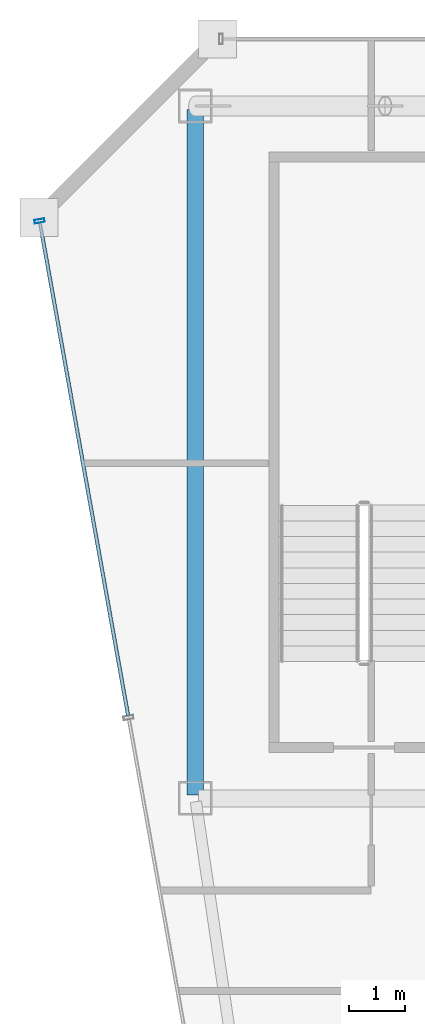
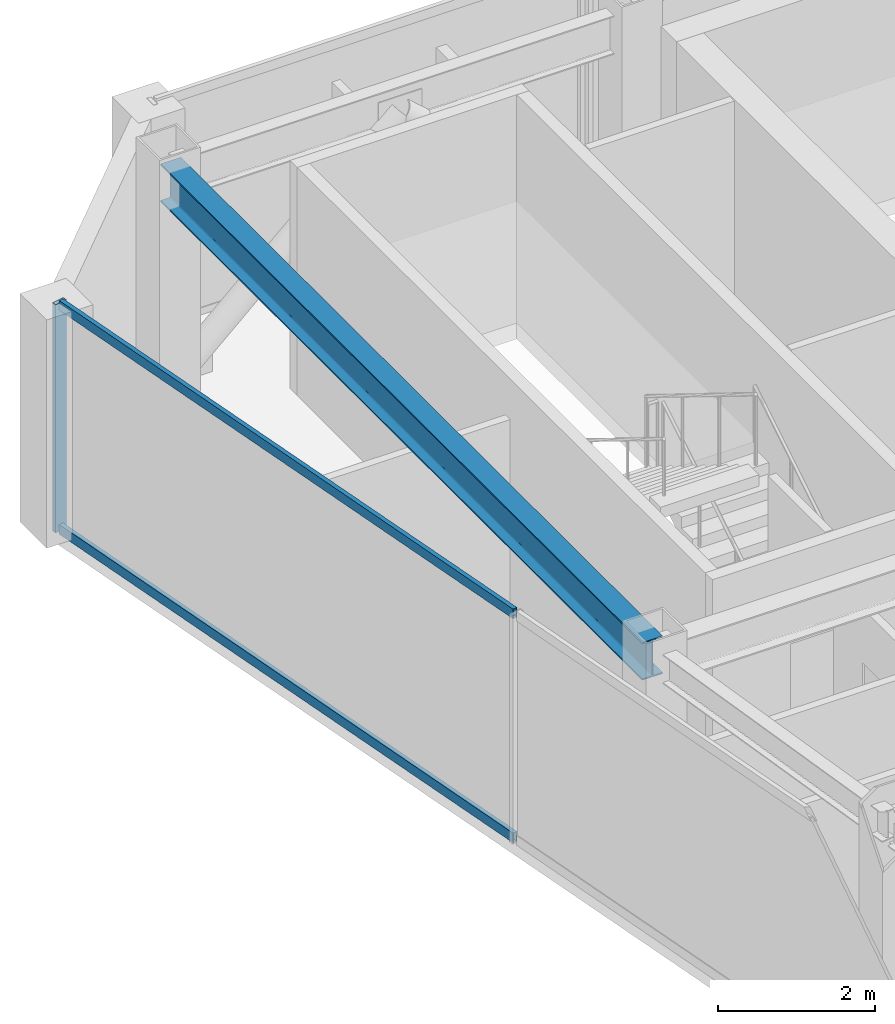
# One storey, part 10 of 32: 3 members, 1 beam, 1 element without a shape of its own.
"""IFC4 building model written with IfcOpenShell, lengths in metres."""

from ifc_helpers import new_model, si_unit, direction, frame, origin, origin_2d, place, context, subcontext, project, spatial, hollow_rectangle, i_section, extrude, material, material_profile, profile_set, type_object, element, aggregate, save


model = new_model("IFC4")

# Units and contexts
model_context = context("Model", 3, precision=1e-05, world=origin(), true_north=direction((0.0, 1.0)))
body_context = subcontext(model_context, "Body", "Model", "MODEL_VIEW")
ifc_project = project(units=[si_unit("LENGTHUNIT", "METRE"), si_unit("AREAUNIT", "SQUARE_METRE"), si_unit("VOLUMEUNIT", "CUBIC_METRE"), si_unit("PLANEANGLEUNIT", "RADIAN"), si_unit("MASSUNIT", "GRAM", prefix="KILO")], contexts=[model_context])

# Site, building, storey
site_placement = place(None, origin())
site = spatial("IfcSite", under=ifc_project, at=site_placement, CompositionType="ELEMENT")
building_placement = place(site_placement, origin())
building = spatial("IfcBuilding", under=site, at=building_placement, Name="Saevonmaru Cultural Tower", CompositionType="ELEMENT")
storey_placement = place(building_placement, frame((0.0, 0.0, 264.800048828125)))
storey = spatial("IfcBuildingStorey", under=building, at=storey_placement, Name="L62", CompositionType="ELEMENT", Elevation=264.800048828125)

# Beam
ifc_material_1 = material(Name="Steel SM355", Category="steel")
ifc_material_profile_1 = material_profile(ifc_material_1, i_section(OverallWidth=0.300048828125, OverallDepth=0.587890625, WebThickness=0.011962890625, FlangeThickness=0.02001953125, FilletRadius=0.02392578125, at=origin_2d()), Name="H-588x300x12x20")
ifc_profile_set_1 = profile_set([ifc_material_profile_1], Name="Steel SM355")
beam_type = type_object("IfcBeamType", Name="BM-G-H588", PredefinedType="BEAM", material=ifc_profile_set_1)
beam_placement = place(storey_placement, frame((6.800048828125, 54.739990234375, 3.255859375), z_axis=(0.0, -1.0, 0.0), x_axis=(1.0, 0.0, 0.0)))
element("IfcBeam", 1, at=beam_placement, inside=storey, type_object=beam_type, Name="L62 Spine Transverse Girder W", PredefinedType="BEAM", context=body_context, shape_type="SweptSolid", body=[
    extrude(i_section(OverallWidth=0.300048828125, OverallDepth=0.587890625, WebThickness=0.011962890625, FlangeThickness=0.02001953125, FilletRadius=0.02392578125, at=origin_2d()), origin(), (0.0, 0.0, 1.0), 12.280029296875),
])

# Curtain wall, members
ifc_material_2 = material(Name="Satin Bronze Anodised Aluminium", Category="aluminium")
curtain_wall_type = type_object("IfcCurtainWallType", Name="CW-TYP-B", PredefinedType="NOTDEFINED", material=ifc_material_2)
curtain_wall_placement = place(storey_placement, origin())
curtain_wall = element("IfcCurtainWall", 2, at=curtain_wall_placement, inside=storey, type_object=curtain_wall_type, Name="L62 Unitised Curtain Wall E12", PredefinedType="NOTDEFINED")
ifc_material_profile_2 = material_profile(ifc_material_2, hollow_rectangle(XDim=0.06494140625, YDim=0.179931640625, WallThickness=0.00390625, at=origin_2d()), Name="ALU-MULL-180x65x4")
ifc_profile_set_2 = profile_set([ifc_material_profile_2], Name="Satin Bronze Anodised Aluminium")
member_type_1 = type_object("IfcMemberType", Name="ML-CW-180x65", PredefinedType="MULLION", material=ifc_profile_set_2)
member_1_placement = place(storey_placement, frame((4.010498046875, 52.740966796875, 0.0), z_axis=(0.0, 0.0, 1.0), x_axis=(0.176140740755, -0.984364993001, 0.0)))
member_1 = element("IfcMember", 3, at=member_1_placement, type_object=member_type_1, Name="CW-TW-L62-E12 mullion 1", PredefinedType="MULLION", context=body_context, shape_type="SweptSolid", body=[
    extrude(hollow_rectangle(XDim=0.06494140625, YDim=0.179931640625, WallThickness=0.00390625, at=origin_2d()), origin(), (0.0, 0.0, 1.0), 3.550048828125),
])
ifc_material_profile_3 = material_profile(ifc_material_2, hollow_rectangle(XDim=0.06494140625, YDim=0.14990234375, WallThickness=0.00390625, at=origin_2d()), Name="ALU-TRAN-150x65x4")
ifc_profile_set_3 = profile_set([ifc_material_profile_3], Name="Satin Bronze Anodised Aluminium")
member_type_2 = type_object("IfcMemberType", Name="TR-CW-150x65", PredefinedType="USERDEFINED", material=ifc_profile_set_3)
member_2_placement = place(storey_placement, frame((4.016357421875, 52.708984375, 0.032470703125), z_axis=(0.176144810911, -0.984364264685, 0.0), x_axis=(0.984364264685, 0.176144810911, 0.0)))
member_2 = element("IfcMember", 4, at=member_2_placement, type_object=member_type_2, Name="CW-TW-L62-E12 transom 1.1", ObjectType="TRANSOM", PredefinedType="USERDEFINED", context=body_context, shape_type="SweptSolid", body=[
    extrude(hollow_rectangle(XDim=0.06494140625, YDim=0.14990234375, WallThickness=0.00390625, at=origin_2d()), origin(), (0.0, 0.0, 1.0), 8.97021484375),
])
member_3_placement = place(storey_placement, frame((4.016357421875, 52.708984375, 3.517333984375), z_axis=(0.176144810911, -0.984364264685, 0.0), x_axis=(0.984364264685, 0.176144810911, 0.0)))
member_3 = element("IfcMember", 5, at=member_3_placement, type_object=member_type_2, Name="CW-TW-L62-E12 transom 1.2", ObjectType="TRANSOM", PredefinedType="USERDEFINED", context=body_context, shape_type="SweptSolid", body=[
    extrude(hollow_rectangle(XDim=0.06494140625, YDim=0.14990234375, WallThickness=0.00390625, at=origin_2d()), origin(), (0.0, 0.0, 1.0), 8.97021484375),
])
aggregate(curtain_wall, [member_1, member_2, member_3])

save(model, "model.ifc")
